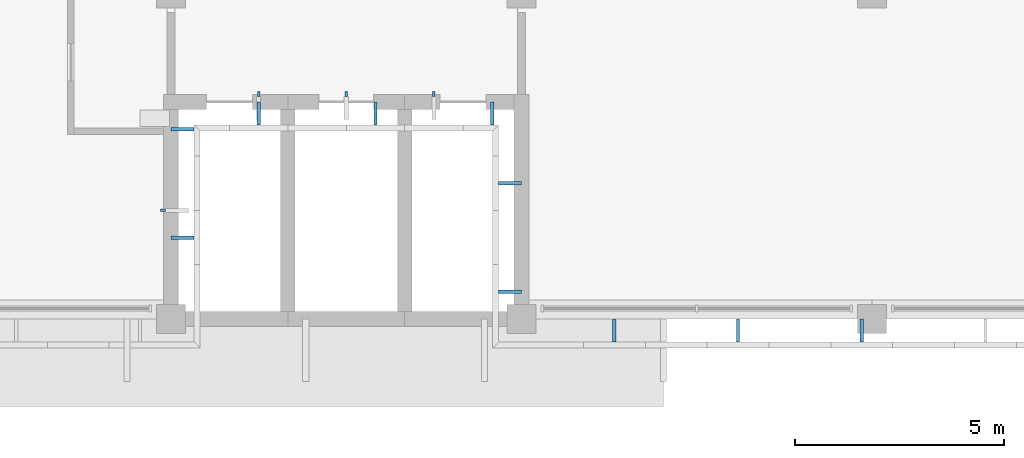
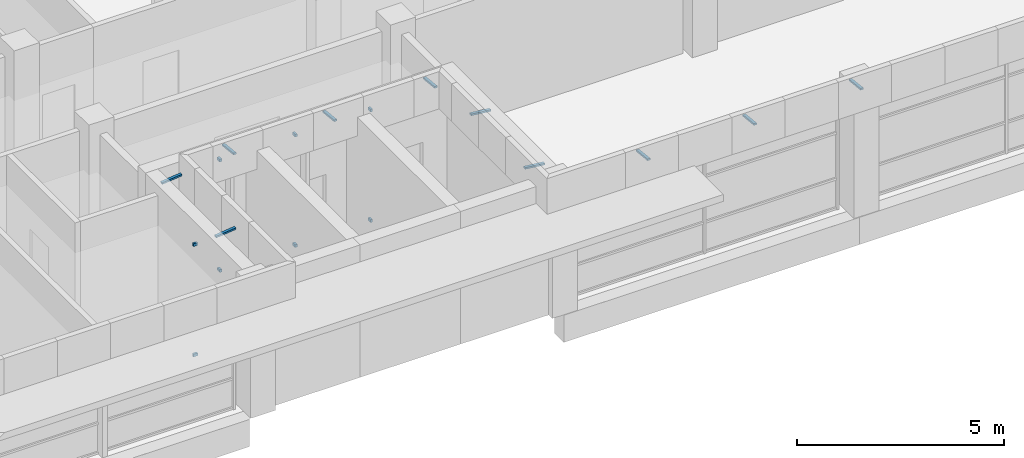
# One storey, part 27 of 36: 18 discrete accessories.
"""IFC4 building model written with IfcOpenShell, lengths in metres."""

import ifcopenshell
import ifcopenshell.guid

model = None  # the IFC model being written
_history = None  # IfcOwnerHistory: only IFC2X3 demands one
_inside = {}  # id of a spatial element -> (the spatial element, [elements in it])
_under = {}  # id of a project, library or spatial element -> (it, [spatial elements below it])
_declared = {}  # id of a project -> (the project, [libraries it declares])
_typed = {}  # id of a type object -> (the type object, [elements of that type])
_made_of = {}  # id of a material, layer set ... -> (it, [elements and type objects made of it])


def new_model(schema):
    """Start an empty IFC model of exactly this schema.

    Asked for "IFC4X3", IfcOpenShell would pick the latest addendum, in which some entities
    have other attributes; the version numbers below select the first issue.
    IFC2X3 requires an IfcOwnerHistory on every rooted entity: one is made here for all.
    """
    global model, _history
    if schema == "IFC4X3":
        model = ifcopenshell.file(schema_version=(4, 3, 0, 0))
    else:
        model = ifcopenshell.file(schema=schema)
    _inside.clear()
    _under.clear()
    _declared.clear()
    _typed.clear()
    _made_of.clear()
    _history = None
    if model.schema == "IFC2X3":
        org = make("IfcOrganization", Name="unknown")
        user = make(
            "IfcPersonAndOrganization",
            ThePerson=make("IfcPerson", FamilyName="unknown"),
            TheOrganization=org,
        )
        app = make(
            "IfcApplication",
            ApplicationDeveloper=org,
            Version="unknown",
            ApplicationFullName="unknown",
            ApplicationIdentifier="unknown",
        )
        _history = make(
            "IfcOwnerHistory",
            OwningUser=user,
            OwningApplication=app,
            ChangeAction="ADDED",
            CreationDate=0,
        )
    return model


def make(cls, **values):
    """One entity of the class cls with the attributes given. An attribute that is None is left unset."""
    return model.create_entity(
        cls, **{name: value for name, value in values.items() if value is not None}
    )


def rooted(cls, **values):
    """An entity with a GlobalId (a new one), such as an element, a storey or a relation."""
    return make(cls, GlobalId=ifcopenshell.guid.new(), OwnerHistory=_history, **values)


def si_unit(unit_type, name, prefix=None):
    """IfcSIUnit, for example si_unit("LENGTHUNIT", "METRE", prefix="MILLI")."""
    return make("IfcSIUnit", UnitType=unit_type, Prefix=prefix, Name=name)


def assignment(units):
    """IfcUnitAssignment: the units of a project."""
    return None if units is None else make("IfcUnitAssignment", Units=units)


def point(xyz):
    """IfcCartesianPoint."""
    return None if xyz is None else make("IfcCartesianPoint", Coordinates=xyz)


def direction(xyz):
    """IfcDirection."""
    return None if xyz is None else make("IfcDirection", DirectionRatios=xyz)


def frame(location, z_axis=None, x_axis=None):
    """IfcAxis2Placement3D, a coordinate frame: its origin and axes. An axis left out is left unset."""
    return make(
        "IfcAxis2Placement3D",
        Location=point(location),
        Axis=direction(z_axis),
        RefDirection=direction(x_axis),
    )


def frame_2d(location, x_axis=None):
    """IfcAxis2Placement2D, a coordinate frame in the plane: its origin and x axis."""
    return make(
        "IfcAxis2Placement2D", Location=point(location), RefDirection=direction(x_axis)
    )


def origin():
    """The frame at (0, 0, 0) with its axes left unset."""
    return frame((0.0, 0.0, 0.0))


def origin_2d():
    """The frame at (0, 0) in the plane with its x axis left unset."""
    return frame_2d((0.0, 0.0))


def place(relative_to, where):
    """IfcLocalPlacement: puts the frame where relative to a parent placement (None: the world)."""
    return make(
        "IfcLocalPlacement", PlacementRelTo=relative_to, RelativePlacement=where
    )


def context(
    kind, dimensions, precision=None, world=None, true_north=None, identifier=None
):
    """IfcGeometricRepresentationContext, for example the 3D "Model" context."""
    return make(
        "IfcGeometricRepresentationContext",
        ContextIdentifier=identifier,
        ContextType=kind,
        CoordinateSpaceDimension=dimensions,
        Precision=precision,
        WorldCoordinateSystem=world,
        TrueNorth=true_north,
    )


def subcontext(parent, identifier, kind, view, scale=None):
    """IfcGeometricRepresentationSubContext, for example "Body" below "Model"."""
    return make(
        "IfcGeometricRepresentationSubContext",
        ContextIdentifier=identifier,
        ContextType=kind,
        ParentContext=parent,
        TargetScale=scale,
        TargetView=view,
    )


def project(units=None, contexts=None):
    """IfcProject with its units and contexts."""
    return rooted(
        "IfcProject",
        Name="project",
        RepresentationContexts=contexts,
        UnitsInContext=assignment(units),
    )


def spatial(cls, under=None, at=None, **own):
    """A site, building, storey or space (cls), placed at a placement, below another one or the project."""
    s = rooted(cls, ObjectPlacement=at, **own)
    if under is not None:
        _under.setdefault(under.id(), (under, []))[1].append(s)
    return s


def profile(cls, at=None, kind="AREA", **sizes):
    """A parametric profile (cls). Its sizes go by their IFC names, for example OverallWidth=200.0."""
    return make(cls, ProfileType=kind, Position=at, **sizes)


def rectangle(**sizes):
    """IfcRectangleProfileDef."""
    return profile("IfcRectangleProfileDef", **sizes)


def extrude(swept, where, along, depth):
    """IfcExtrudedAreaSolid: the profile swept, set in the frame where, extruded along a direction by depth."""
    return make(
        "IfcExtrudedAreaSolid",
        SweptArea=swept,
        Position=where,
        ExtrudedDirection=direction(along),
        Depth=depth,
    )


def shape(context_of_items, identifier, shape_type, items):
    """IfcShapeRepresentation: the items that make up one representation, for example the "Body"."""
    return make(
        "IfcShapeRepresentation",
        ContextOfItems=context_of_items,
        RepresentationIdentifier=identifier,
        RepresentationType=shape_type,
        Items=items,
    )


def material(Name=None, Category=None):
    """IfcMaterial."""
    return make("IfcMaterial", Name=Name, Category=Category)


def material_profile(
    of_material, cross_section, Name=None, Category=None, Priority=None
):
    """IfcMaterialProfile: a cross section and its material."""
    return make(
        "IfcMaterialProfile",
        Name=Name,
        Material=of_material,
        Profile=cross_section,
        Priority=Priority,
        Category=Category,
    )


def profile_set(profiles, Name=None, composite=None):
    """IfcMaterialProfileSet."""
    return make(
        "IfcMaterialProfileSet",
        Name=Name,
        MaterialProfiles=profiles,
        CompositeProfile=composite,
    )


def made_of(thing, what):
    """Note that an element or type object is made of a material, layer set ...; save() writes the relation."""
    if what is not None:
        _made_of.setdefault(what.id(), (what, []))[1].append(thing)
    return thing


def type_object(cls, material=None, **own):
    """A type object (cls), such as IfcWallType, which elements share."""
    return made_of(rooted(cls, **own), material)


def element(
    cls,
    number,
    at=None,
    inside=None,
    cuts=None,
    type_object=None,
    material=None,
    context=None,
    identifier="Body",
    shape_type=None,
    held_by="IfcProductDefinitionShape",
    body=None,
    shapes=None,
    **own,
):
    """One element of the class cls, such as IfcWall. Its Tag is "e" and its number.

    at: its placement. inside: the storey or other place that contains it. cuts: it is an
    opening in that element (IfcRelVoidsElement). A single representation is given by context,
    identifier, shape_type and body (its items); several are given by shapes. held_by: the class
    of the entity that holds the representations. save() writes the other relations.
    """
    e = rooted(cls, Tag="e%d" % number, ObjectPlacement=at, **own)
    if body is not None:
        shapes = [shape(context, identifier, shape_type, body)]
    if shapes is not None:
        e.Representation = make(held_by, Representations=shapes)
    if inside is not None:
        _inside.setdefault(inside.id(), (inside, []))[1].append(e)
    if cuts is not None:
        rooted(
            "IfcRelVoidsElement", RelatingBuildingElement=cuts, RelatedOpeningElement=e
        )
    if type_object is not None:
        _typed.setdefault(type_object.id(), (type_object, []))[1].append(e)
    return made_of(e, material)


def aggregate(whole, parts):
    """IfcRelAggregates: a whole, such as a stair, and the parts it consists of."""
    return rooted("IfcRelAggregates", RelatingObject=whole, RelatedObjects=parts)


def save(model, path):
    """Write the relations noted so far, then the file.

    IfcRelAggregates (storeys below a building ...), IfcRelContainedInSpatialStructure (elements
    in a storey), IfcRelDefinesByType, IfcRelAssociatesMaterial and IfcRelDeclares: one each for
    every whole, place, type object, material and project.
    """
    for whole, parts in _under.values():
        aggregate(whole, parts)
    for where, things in _inside.values():
        rooted(
            "IfcRelContainedInSpatialStructure",
            RelatedElements=things,
            RelatingStructure=where,
        )
    for kind, things in _typed.values():
        rooted("IfcRelDefinesByType", RelatedObjects=things, RelatingType=kind)
    for what, things in _made_of.values():
        rooted("IfcRelAssociatesMaterial", RelatedObjects=things, RelatingMaterial=what)
    for by, libraries in _declared.values():
        rooted("IfcRelDeclares", RelatingContext=by, RelatedDefinitions=libraries)
    model.write(path)


model = new_model("IFC4")

# Units and contexts
model_context = context("Model", 3, precision=1e-05, world=origin(), true_north=direction((0.0, 1.0)))
body_context = subcontext(model_context, "Body", "Model", "MODEL_VIEW")
ifc_project = project(units=[si_unit("LENGTHUNIT", "METRE"), si_unit("AREAUNIT", "SQUARE_METRE"), si_unit("VOLUMEUNIT", "CUBIC_METRE"), si_unit("PLANEANGLEUNIT", "RADIAN"), si_unit("MASSUNIT", "GRAM", prefix="KILO")], contexts=[model_context])

# Site, building, storey
site_placement = place(None, origin())
site = spatial("IfcSite", under=ifc_project, at=site_placement, CompositionType="ELEMENT")
building_placement = place(site_placement, origin())
building = spatial("IfcBuilding", under=site, at=building_placement, Name="Bougainvillea Quay General Hospital", CompositionType="ELEMENT")
storey_placement = place(building_placement, frame((0.0, 0.0, 32.699951171875)))
storey = spatial("IfcBuildingStorey", under=building, at=storey_placement, Name="L07", CompositionType="ELEMENT", Elevation=32.699951171875)

# Discrete accessories
ifc_material = material(Name="Stainless steel bracket, grade 316", Category="steel")
discrete_accessory_type_1 = type_object("IfcDiscreteAccessoryType", Name="Stainless steel fin arm 60x80", PredefinedType="BRACKET", material=ifc_material)
for number, where, z_axis, x_axis, name in (
    (1, (151.010009765625, 143.0, 0.0), (0.0, 0.0, 1.0), (1.0, 0.0, 0.0), "Fin arm V5A L07 07.1B"),
    (2, (151.010009765625, 143.0, 3.25), (0.0, 0.0, 1.0), (1.0, 0.0, 0.0), "Fin arm V5A L07 07.1T"),
    (3, (157.5, 145.7900390625, 0.0), (0.0, 0.0, 1.0), (0.0, -1.0, 0.0), "Fin arm V5A L07 08.1B"),
    (4, (157.5, 145.7900390625, 3.25), (0.0, 0.0, 1.0), (0.0, -1.0, 0.0), "Fin arm V5A L07 08.1T"),
    (5, (155.39990234375, 145.7900390625, 0.0), (0.0, 0.0, 1.0), (0.0, -1.0, 0.0), "Fin arm V5A L07 08.2B"),
    (6, (155.39990234375, 145.7900390625, 3.25), (0.0, 0.0, 1.0), (0.0, -1.0, 0.0), "Fin arm V5A L07 08.2T"),
    (7, (153.300048828125, 145.7900390625, 0.0), (0.0, 0.0, 1.0), (0.0, -1.0, 0.0), "Fin arm V5A L07 08.3B"),
    (8, (153.300048828125, 145.7900390625, 3.25), (0.0, 0.0, 1.0), (0.0, -1.0, 0.0), "Fin arm V5A L07 08.3T"),
):
    element("IfcDiscreteAccessory", number, at=place(storey_placement, frame(where, z_axis=z_axis, x_axis=x_axis)), inside=storey, type_object=discrete_accessory_type_1, Name=name, PredefinedType="BRACKET", context=body_context, shape_type="SweptSolid", body=[
        extrude(rectangle(XDim=0.1201171875, YDim=0.06005859375, at=origin_2d()), origin(), (0.0, 0.0, 1.0), 0.080078125),
    ])
ifc_material_profile = material_profile(ifc_material, rectangle(XDim=0.080078125, YDim=0.050048828125, at=origin_2d()))
ifc_profile_set = profile_set([ifc_material_profile], Name="Stainless steel bracket, grade 316")
discrete_accessory_type_2 = type_object("IfcDiscreteAccessoryType", Name="Stainless steel stand-off bracket 80x50", PredefinedType="BRACKET", material=ifc_profile_set)
for number, where, z_axis, x_axis, name in (
    (9, (151.199951171875, 142.35009765625, 3.840087890625), (0.994091793559, 0.0, 0.108542645901), (0.0, 1.0, 0.0), "Fascia bracket e0 193"),
    (10, (151.199951171875, 144.949951171875, 3.840087890625), (0.994091793559, 0.0, 0.108542645901), (0.0, 1.0, 0.0), "Fascia bracket e0 195"),
    (11, (153.300048828125, 145.60009765625, 3.840087890625), (0.0, -0.994091793559, 0.108542645901), (1.0, 0.0, 0.0), "Fascia bracket e0 197"),
    (12, (156.10009765625, 145.60009765625, 3.840087890625), (0.0, -0.994091793559, 0.108542645901), (1.0, 0.0, 0.0), "Fascia bracket e0 199"),
    (13, (158.89990234375, 145.60009765625, 3.840087890625), (0.0, -0.994091793559, 0.108542645901), (1.0, 0.0, 0.0), "Fascia bracket e0 201"),
    (14, (159.60009765625, 143.64990234375, 3.840087890625), (-0.994091793559, 0.0, 0.108542645901), (0.0, -1.0, 0.0), "Fascia bracket e0 203"),
    (15, (159.60009765625, 141.050048828125, 3.840087890625), (-0.994091793559, 0.0, 0.108542645901), (0.0, -1.0, 0.0), "Fascia bracket e0 205"),
):
    element("IfcDiscreteAccessory", number, at=place(storey_placement, frame(where, z_axis=z_axis, x_axis=x_axis)), inside=storey, type_object=discrete_accessory_type_2, Name=name, PredefinedType="BRACKET", context=body_context, shape_type="SweptSolid", body=[
        extrude(rectangle(XDim=0.080078125, YDim=0.050048828125, at=origin_2d()), origin(), (0.0, 0.0, 1.0), 0.55322265625),
    ])
for number, where, z_axis, x_axis, name in (
    (16, (161.823486328125, 140.39990234375, 3.840087890625), (0.0, -0.994086591779, 0.108590276011), (1.0, 0.0, 0.0), "Fascia bracket e0 207"),
    (17, (164.788330078125, 140.39990234375, 3.840087890625), (0.0, -0.994086591779, 0.108590276011), (1.0, 0.0, 0.0), "Fascia bracket e0 209"),
    (18, (167.7529296875, 140.39990234375, 3.840087890625), (0.0, -0.994086591779, 0.108590276011), (1.0, 0.0, 0.0), "Fascia bracket e0 211"),
):
    element("IfcDiscreteAccessory", number, at=place(storey_placement, frame(where, z_axis=z_axis, x_axis=x_axis)), inside=storey, type_object=discrete_accessory_type_2, Name=name, PredefinedType="BRACKET", context=body_context, shape_type="SweptSolid", body=[
        extrude(rectangle(XDim=0.080078125, YDim=0.050048828125, at=origin_2d()), origin(), (0.0, 0.0, 1.0), 0.552978515625),
    ])

save(model, "model.ifc")
